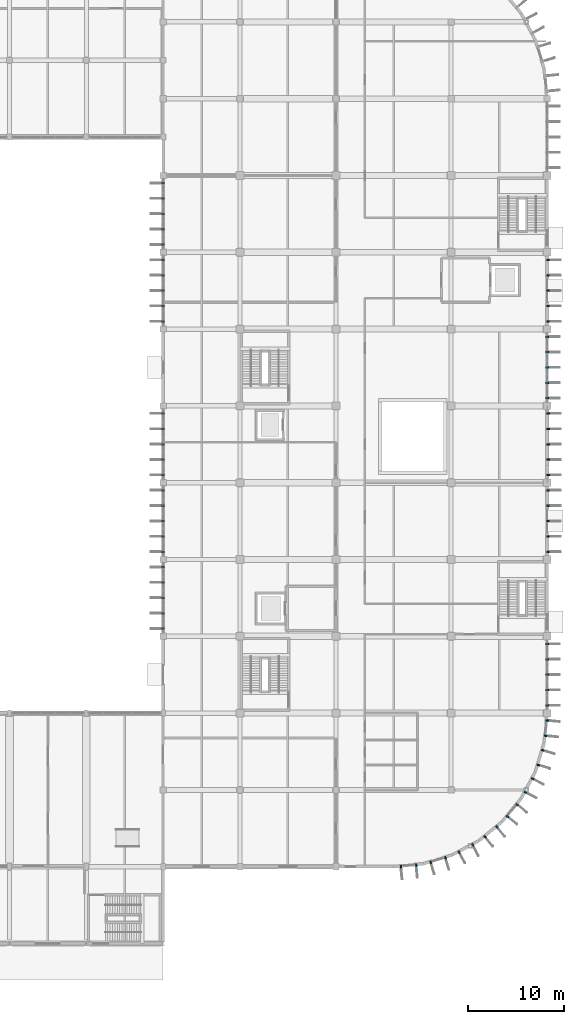
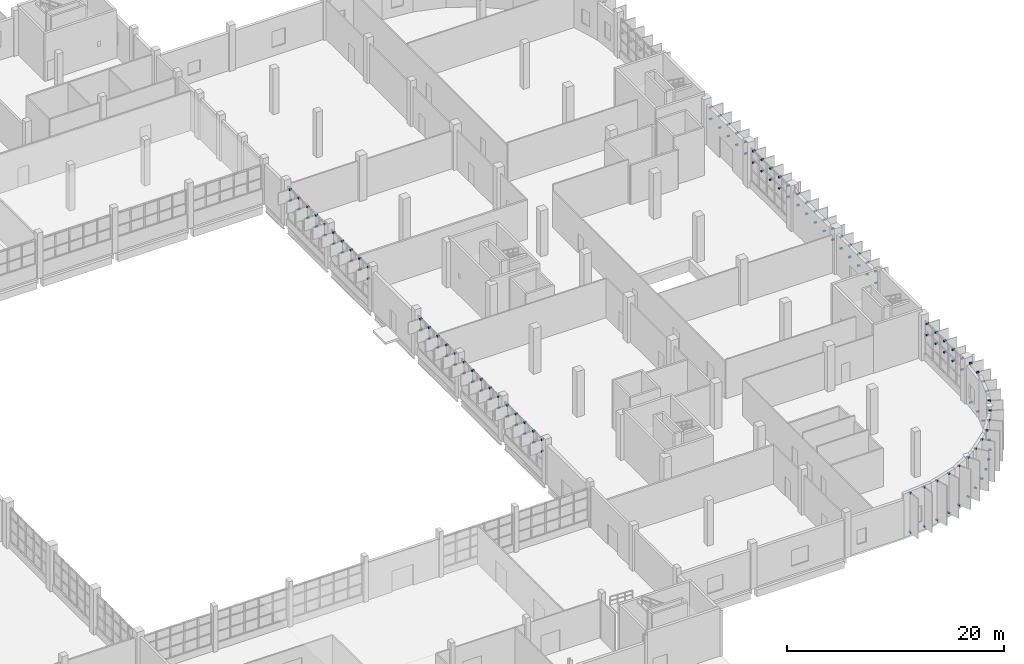
# One storey, part 92 of 103: 132 discrete accessories.
"""IFC4 building model written with IfcOpenShell, lengths in metres."""

from ifc_helpers import new_model, si_unit, direction, frame, origin, origin_2d, place, context, subcontext, project, spatial, rectangle, extrude, material, type_object, element, save


model = new_model("IFC4")

# Units and contexts
model_context = context("Model", 3, precision=1e-05, world=origin(), true_north=direction((0.0, 1.0)))
body_context = subcontext(model_context, "Body", "Model", "MODEL_VIEW")
ifc_project = project(units=[si_unit("LENGTHUNIT", "METRE"), si_unit("AREAUNIT", "SQUARE_METRE"), si_unit("VOLUMEUNIT", "CUBIC_METRE"), si_unit("PLANEANGLEUNIT", "RADIAN"), si_unit("MASSUNIT", "GRAM", prefix="KILO")], contexts=[model_context])

# Site, building, storey
site_placement = place(None, origin())
site = spatial("IfcSite", under=ifc_project, at=site_placement, CompositionType="ELEMENT")
building_placement = place(site_placement, origin())
building = spatial("IfcBuilding", under=site, at=building_placement, Name="Drelvana Railside Aquatics Centre", CompositionType="ELEMENT")
storey_placement = place(building_placement, origin())
storey = spatial("IfcBuildingStorey", under=building, at=storey_placement, Name="L00", CompositionType="ELEMENT", Elevation=0.0)

# Discrete accessories
ifc_material = material(Name="Stainless steel 316 facade bracket", Category="steel")
discrete_accessory_type = type_object("IfcDiscreteAccessoryType", Name="ACC-BRACKET-FIN", PredefinedType="BRACKET", material=ifc_material)
for number, where, z_axis, x_axis, name in (
    (1, (143.989990234375, 32.800048828125, 2.96484375), (0.0, 0.0, 1.0), (-1.0, 0.0, 0.0), "Shading fin bracket BK-1135"),
    (2, (143.989990234375, 32.800048828125, 4.22509765625), (0.0, 0.0, 1.0), (-1.0, 0.0, 0.0), "Shading fin bracket BK-1136"),
    (3, (143.989990234375, 34.39990234375, 2.96484375), (0.0, 0.0, 1.0), (-1.0, 0.0, 0.0), "Shading fin bracket BK-1137"),
    (4, (143.989990234375, 34.39990234375, 4.22509765625), (0.0, 0.0, 1.0), (-1.0, 0.0, 0.0), "Shading fin bracket BK-1138"),
    (5, (143.989990234375, 36.0, 2.96484375), (0.0, 0.0, 1.0), (-1.0, 0.0, 0.0), "Shading fin bracket BK-1139"),
    (6, (143.989990234375, 36.0, 4.22509765625), (0.0, 0.0, 1.0), (-1.0, 0.0, 0.0), "Shading fin bracket BK-1140"),
    (7, (143.989990234375, 37.60009765625, 2.96484375), (0.0, 0.0, 1.0), (-1.0, 0.0, 0.0), "Shading fin bracket BK-1141"),
    (8, (143.989990234375, 37.60009765625, 4.22509765625), (0.0, 0.0, 1.0), (-1.0, 0.0, 0.0), "Shading fin bracket BK-1142"),
    (9, (143.989990234375, 39.199951171875, 2.96484375), (0.0, 0.0, 1.0), (-1.0, 0.0, 0.0), "Shading fin bracket BK-1143"),
    (10, (143.989990234375, 39.199951171875, 4.22509765625), (0.0, 0.0, 1.0), (-1.0, 0.0, 0.0), "Shading fin bracket BK-1144"),
    (11, (143.989990234375, 40.800048828125, 2.96484375), (0.0, 0.0, 1.0), (-1.0, 0.0, 0.0), "Shading fin bracket BK-1175"),
    (12, (143.989990234375, 40.800048828125, 4.22509765625), (0.0, 0.0, 1.0), (-1.0, 0.0, 0.0), "Shading fin bracket BK-1176"),
    (13, (143.989990234375, 42.39990234375, 2.96484375), (0.0, 0.0, 1.0), (-1.0, 0.0, 0.0), "Shading fin bracket BK-1177"),
    (14, (143.989990234375, 42.39990234375, 4.22509765625), (0.0, 0.0, 1.0), (-1.0, 0.0, 0.0), "Shading fin bracket BK-1178"),
    (15, (143.989990234375, 44.0, 2.96484375), (0.0, 0.0, 1.0), (-1.0, 0.0, 0.0), "Shading fin bracket BK-1179"),
    (16, (143.989990234375, 44.0, 4.22509765625), (0.0, 0.0, 1.0), (-1.0, 0.0, 0.0), "Shading fin bracket BK-1180"),
    (17, (143.989990234375, 45.60009765625, 2.96484375), (0.0, 0.0, 1.0), (-1.0, 0.0, 0.0), "Shading fin bracket BK-1181"),
    (18, (143.989990234375, 45.60009765625, 4.22509765625), (0.0, 0.0, 1.0), (-1.0, 0.0, 0.0), "Shading fin bracket BK-1182"),
    (19, (143.989990234375, 47.199951171875, 2.96484375), (0.0, 0.0, 1.0), (-1.0, 0.0, 0.0), "Shading fin bracket BK-1183"),
    (20, (143.989990234375, 47.199951171875, 4.22509765625), (0.0, 0.0, 1.0), (-1.0, 0.0, 0.0), "Shading fin bracket BK-1184"),
    (21, (143.989990234375, 48.800048828125, 2.96484375), (0.0, 0.0, 1.0), (-1.0, 0.0, 0.0), "Shading fin bracket BK-1215"),
    (22, (143.989990234375, 48.800048828125, 4.22509765625), (0.0, 0.0, 1.0), (-1.0, 0.0, 0.0), "Shading fin bracket BK-1216"),
    (23, (143.989990234375, 50.39990234375, 2.96484375), (0.0, 0.0, 1.0), (-1.0, 0.0, 0.0), "Shading fin bracket BK-1217"),
    (24, (143.989990234375, 50.39990234375, 4.22509765625), (0.0, 0.0, 1.0), (-1.0, 0.0, 0.0), "Shading fin bracket BK-1218"),
    (25, (143.989990234375, 52.0, 2.96484375), (0.0, 0.0, 1.0), (-1.0, 0.0, 0.0), "Shading fin bracket BK-1219"),
    (26, (143.989990234375, 52.0, 4.22509765625), (0.0, 0.0, 1.0), (-1.0, 0.0, 0.0), "Shading fin bracket BK-1220"),
    (27, (143.989990234375, 53.60009765625, 2.96484375), (0.0, 0.0, 1.0), (-1.0, 0.0, 0.0), "Shading fin bracket BK-1221"),
    (28, (143.989990234375, 53.60009765625, 4.22509765625), (0.0, 0.0, 1.0), (-1.0, 0.0, 0.0), "Shading fin bracket BK-1222"),
    (29, (143.989990234375, 55.199951171875, 2.96484375), (0.0, 0.0, 1.0), (-1.0, 0.0, 0.0), "Shading fin bracket BK-1223"),
    (30, (143.989990234375, 55.199951171875, 4.22509765625), (0.0, 0.0, 1.0), (-1.0, 0.0, 0.0), "Shading fin bracket BK-1224"),
    (31, (143.989990234375, 64.800048828125, 2.96484375), (0.0, 0.0, 1.0), (-1.0, 0.0, 0.0), "Shading fin bracket BK-1285"),
    (32, (143.989990234375, 64.800048828125, 4.22509765625), (0.0, 0.0, 1.0), (-1.0, 0.0, 0.0), "Shading fin bracket BK-1286"),
    (33, (143.989990234375, 66.39990234375, 2.96484375), (0.0, 0.0, 1.0), (-1.0, 0.0, 0.0), "Shading fin bracket BK-1287"),
    (34, (143.989990234375, 66.39990234375, 4.22509765625), (0.0, 0.0, 1.0), (-1.0, 0.0, 0.0), "Shading fin bracket BK-1288"),
    (35, (143.989990234375, 68.0, 2.96484375), (0.0, 0.0, 1.0), (-1.0, 0.0, 0.0), "Shading fin bracket BK-1289"),
    (36, (143.989990234375, 68.0, 4.22509765625), (0.0, 0.0, 1.0), (-1.0, 0.0, 0.0), "Shading fin bracket BK-1290"),
    (37, (143.989990234375, 69.60009765625, 2.96484375), (0.0, 0.0, 1.0), (-1.0, 0.0, 0.0), "Shading fin bracket BK-1291"),
    (38, (143.989990234375, 69.60009765625, 4.22509765625), (0.0, 0.0, 1.0), (-1.0, 0.0, 0.0), "Shading fin bracket BK-1292"),
    (39, (143.989990234375, 71.199951171875, 2.96484375), (0.0, 0.0, 1.0), (-1.0, 0.0, 0.0), "Shading fin bracket BK-1293"),
    (40, (143.989990234375, 71.199951171875, 4.22509765625), (0.0, 0.0, 1.0), (-1.0, 0.0, 0.0), "Shading fin bracket BK-1294"),
    (41, (143.989990234375, 72.800048828125, 2.96484375), (0.0, 0.0, 1.0), (-1.0, 0.0, 0.0), "Shading fin bracket BK-1325"),
    (42, (143.989990234375, 72.800048828125, 4.22509765625), (0.0, 0.0, 1.0), (-1.0, 0.0, 0.0), "Shading fin bracket BK-1326"),
    (43, (143.989990234375, 74.39990234375, 2.96484375), (0.0, 0.0, 1.0), (-1.0, 0.0, 0.0), "Shading fin bracket BK-1327"),
    (44, (143.989990234375, 74.39990234375, 4.22509765625), (0.0, 0.0, 1.0), (-1.0, 0.0, 0.0), "Shading fin bracket BK-1328"),
    (45, (143.989990234375, 76.0, 2.96484375), (0.0, 0.0, 1.0), (-1.0, 0.0, 0.0), "Shading fin bracket BK-1329"),
    (46, (143.989990234375, 76.0, 4.22509765625), (0.0, 0.0, 1.0), (-1.0, 0.0, 0.0), "Shading fin bracket BK-1330"),
    (47, (143.989990234375, 77.60009765625, 2.96484375), (0.0, 0.0, 1.0), (-1.0, 0.0, 0.0), "Shading fin bracket BK-1331"),
    (48, (143.989990234375, 77.60009765625, 4.22509765625), (0.0, 0.0, 1.0), (-1.0, 0.0, 0.0), "Shading fin bracket BK-1332"),
    (49, (143.989990234375, 79.199951171875, 2.96484375), (0.0, 0.0, 1.0), (-1.0, 0.0, 0.0), "Shading fin bracket BK-1333"),
    (50, (143.989990234375, 79.199951171875, 4.22509765625), (0.0, 0.0, 1.0), (-1.0, 0.0, 0.0), "Shading fin bracket BK-1334"),
    (51, (184.010009765625, 24.800048828125, 2.96484375), (0.0, 0.0, 1.0), (1.0, 0.0, 0.0), "Shading fin bracket BK-1365"),
    (52, (184.010009765625, 24.800048828125, 4.22509765625), (0.0, 0.0, 1.0), (1.0, 0.0, 0.0), "Shading fin bracket BK-1366"),
    (53, (184.010009765625, 26.39990234375, 2.96484375), (0.0, 0.0, 1.0), (1.0, 0.0, 0.0), "Shading fin bracket BK-1367"),
    (54, (184.010009765625, 26.39990234375, 4.22509765625), (0.0, 0.0, 1.0), (1.0, 0.0, 0.0), "Shading fin bracket BK-1368"),
    (55, (184.010009765625, 28.0, 2.96484375), (0.0, 0.0, 1.0), (1.0, 0.0, 0.0), "Shading fin bracket BK-1369"),
    (56, (184.010009765625, 28.0, 4.22509765625), (0.0, 0.0, 1.0), (1.0, 0.0, 0.0), "Shading fin bracket BK-1370"),
    (57, (184.010009765625, 29.60009765625, 2.96484375), (0.0, 0.0, 1.0), (1.0, 0.0, 0.0), "Shading fin bracket BK-1371"),
    (58, (184.010009765625, 29.60009765625, 4.22509765625), (0.0, 0.0, 1.0), (1.0, 0.0, 0.0), "Shading fin bracket BK-1372"),
    (59, (184.010009765625, 31.199951171875, 2.96484375), (0.0, 0.0, 1.0), (1.0, 0.0, 0.0), "Shading fin bracket BK-1373"),
    (60, (184.010009765625, 31.199951171875, 4.22509765625), (0.0, 0.0, 1.0), (1.0, 0.0, 0.0), "Shading fin bracket BK-1374"),
    (61, (184.0849609375, 40.800048828125, 2.96484375), (0.0, 0.0, 1.0), (1.0, 0.0, 0.0), "Shading fin bracket BK-1415"),
    (62, (184.0849609375, 40.800048828125, 4.27490234375), (0.0, 0.0, 1.0), (1.0, 0.0, 0.0), "Shading fin bracket BK-1416"),
    (63, (184.0849609375, 42.39990234375, 2.96484375), (0.0, 0.0, 1.0), (1.0, 0.0, 0.0), "Shading fin bracket BK-1417"),
    (64, (184.0849609375, 42.39990234375, 4.27490234375), (0.0, 0.0, 1.0), (1.0, 0.0, 0.0), "Shading fin bracket BK-1418"),
    (65, (184.0849609375, 44.0, 2.96484375), (0.0, 0.0, 1.0), (1.0, 0.0, 0.0), "Shading fin bracket BK-1419"),
    (66, (184.0849609375, 44.0, 4.27490234375), (0.0, 0.0, 1.0), (1.0, 0.0, 0.0), "Shading fin bracket BK-1420"),
    (67, (184.0849609375, 45.60009765625, 2.96484375), (0.0, 0.0, 1.0), (1.0, 0.0, 0.0), "Shading fin bracket BK-1421"),
    (68, (184.0849609375, 45.60009765625, 4.27490234375), (0.0, 0.0, 1.0), (1.0, 0.0, 0.0), "Shading fin bracket BK-1422"),
    (69, (184.0849609375, 47.199951171875, 2.96484375), (0.0, 0.0, 1.0), (1.0, 0.0, 0.0), "Shading fin bracket BK-1423"),
    (70, (184.0849609375, 47.199951171875, 4.27490234375), (0.0, 0.0, 1.0), (1.0, 0.0, 0.0), "Shading fin bracket BK-1424"),
    (71, (184.114990234375, 48.800048828125, 2.96484375), (0.0, 0.0, 1.0), (1.0, 0.0, 0.0), "Shading fin bracket BK-1465"),
    (72, (184.114990234375, 48.800048828125, 4.22509765625), (0.0, 0.0, 1.0), (1.0, 0.0, 0.0), "Shading fin bracket BK-1466"),
    (73, (184.114990234375, 50.39990234375, 2.96484375), (0.0, 0.0, 1.0), (1.0, 0.0, 0.0), "Shading fin bracket BK-1467"),
    (74, (184.114990234375, 50.39990234375, 4.22509765625), (0.0, 0.0, 1.0), (1.0, 0.0, 0.0), "Shading fin bracket BK-1468"),
    (75, (184.114990234375, 52.0, 2.96484375), (0.0, 0.0, 1.0), (1.0, 0.0, 0.0), "Shading fin bracket BK-1469"),
    (76, (184.114990234375, 52.0, 4.22509765625), (0.0, 0.0, 1.0), (1.0, 0.0, 0.0), "Shading fin bracket BK-1470"),
    (77, (184.114990234375, 53.60009765625, 2.96484375), (0.0, 0.0, 1.0), (1.0, 0.0, 0.0), "Shading fin bracket BK-1471"),
    (78, (184.114990234375, 53.60009765625, 4.22509765625), (0.0, 0.0, 1.0), (1.0, 0.0, 0.0), "Shading fin bracket BK-1472"),
    (79, (184.114990234375, 55.199951171875, 2.96484375), (0.0, 0.0, 1.0), (1.0, 0.0, 0.0), "Shading fin bracket BK-1473"),
    (80, (184.114990234375, 55.199951171875, 4.22509765625), (0.0, 0.0, 1.0), (1.0, 0.0, 0.0), "Shading fin bracket BK-1474"),
    (81, (184.010009765625, 56.800048828125, 2.96484375), (0.0, 0.0, 1.0), (1.0, 0.0, 0.0), "Shading fin bracket BK-1515"),
    (82, (184.010009765625, 56.800048828125, 4.22509765625), (0.0, 0.0, 1.0), (1.0, 0.0, 0.0), "Shading fin bracket BK-1516"),
    (83, (184.010009765625, 58.39990234375, 2.96484375), (0.0, 0.0, 1.0), (1.0, 0.0, 0.0), "Shading fin bracket BK-1517"),
    (84, (184.010009765625, 58.39990234375, 4.22509765625), (0.0, 0.0, 1.0), (1.0, 0.0, 0.0), "Shading fin bracket BK-1518"),
    (85, (184.010009765625, 60.0, 2.96484375), (0.0, 0.0, 1.0), (1.0, 0.0, 0.0), "Shading fin bracket BK-1519"),
    (86, (184.010009765625, 60.0, 4.22509765625), (0.0, 0.0, 1.0), (1.0, 0.0, 0.0), "Shading fin bracket BK-1520"),
    (87, (184.010009765625, 61.60009765625, 2.96484375), (0.0, 0.0, 1.0), (1.0, 0.0, 0.0), "Shading fin bracket BK-1521"),
    (88, (184.010009765625, 61.60009765625, 4.22509765625), (0.0, 0.0, 1.0), (1.0, 0.0, 0.0), "Shading fin bracket BK-1522"),
    (89, (184.010009765625, 63.199951171875, 2.96484375), (0.0, 0.0, 1.0), (1.0, 0.0, 0.0), "Shading fin bracket BK-1523"),
    (90, (184.010009765625, 63.199951171875, 4.22509765625), (0.0, 0.0, 1.0), (1.0, 0.0, 0.0), "Shading fin bracket BK-1524"),
    (91, (184.0849609375, 64.800048828125, 2.96484375), (0.0, 0.0, 1.0), (1.0, 0.0, 0.0), "Shading fin bracket BK-1565"),
    (92, (184.0849609375, 64.800048828125, 4.27490234375), (0.0, 0.0, 1.0), (1.0, 0.0, 0.0), "Shading fin bracket BK-1566"),
    (93, (184.0849609375, 66.39990234375, 2.96484375), (0.0, 0.0, 1.0), (1.0, 0.0, 0.0), "Shading fin bracket BK-1567"),
    (94, (184.0849609375, 66.39990234375, 4.27490234375), (0.0, 0.0, 1.0), (1.0, 0.0, 0.0), "Shading fin bracket BK-1568"),
    (95, (184.0849609375, 68.0, 2.96484375), (0.0, 0.0, 1.0), (1.0, 0.0, 0.0), "Shading fin bracket BK-1569"),
    (96, (184.0849609375, 68.0, 4.27490234375), (0.0, 0.0, 1.0), (1.0, 0.0, 0.0), "Shading fin bracket BK-1570"),
    (97, (184.0849609375, 69.60009765625, 2.96484375), (0.0, 0.0, 1.0), (1.0, 0.0, 0.0), "Shading fin bracket BK-1571"),
    (98, (184.0849609375, 69.60009765625, 4.27490234375), (0.0, 0.0, 1.0), (1.0, 0.0, 0.0), "Shading fin bracket BK-1572"),
    (99, (184.0849609375, 71.199951171875, 2.96484375), (0.0, 0.0, 1.0), (1.0, 0.0, 0.0), "Shading fin bracket BK-1573"),
    (100, (184.0849609375, 71.199951171875, 4.27490234375), (0.0, 0.0, 1.0), (1.0, 0.0, 0.0), "Shading fin bracket BK-1574"),
    (101, (168.77197265625, 8.000732421875, 0.21484375), (0.0, 0.0, 1.0), (0.09801714033, -0.995184726672, 0.0), "Shading fin bracket BK-1655"),
    (102, (168.77197265625, 8.000732421875, 4.625), (0.0, 0.0, 1.0), (0.09801714033, -0.995184726672, 0.0), "Shading fin bracket BK-1656"),
    (103, (170.3642578125, 8.157470703125, 0.21484375), (0.0, 0.0, 1.0), (0.09801714033, -0.995184726672, 0.0), "Shading fin bracket BK-1657"),
    (104, (170.3642578125, 8.157470703125, 4.625), (0.0, 0.0, 1.0), (0.09801714033, -0.995184726672, 0.0), "Shading fin bracket BK-1658"),
    (105, (171.87841796875, 8.458740234375, 0.21484375), (0.0, 0.0, 1.0), (0.290284677254, -0.956940335732, 0.0), "Shading fin bracket BK-1667"),
    (106, (171.87841796875, 8.458740234375, 4.625), (0.0, 0.0, 1.0), (0.290284677254, -0.956940335732, 0.0), "Shading fin bracket BK-1668"),
    (107, (173.409423828125, 8.923095703125, 0.21484375), (0.0, 0.0, 1.0), (0.290284677254, -0.956940335732, 0.0), "Shading fin bracket BK-1669"),
    (108, (173.409423828125, 8.923095703125, 4.625), (0.0, 0.0, 1.0), (0.290284677254, -0.956940335732, 0.0), "Shading fin bracket BK-1670"),
    (109, (174.835693359375, 9.513916015625, 0.21484375), (0.0, 0.0, 1.0), (0.471396736826, -0.881921264348, 0.0), "Shading fin bracket BK-1679"),
    (110, (174.835693359375, 9.513916015625, 4.625), (0.0, 0.0, 1.0), (0.471396736826, -0.881921264348, 0.0), "Shading fin bracket BK-1680"),
    (111, (176.246826171875, 10.268310546875, 0.21484375), (0.0, 0.0, 1.0), (0.471396736826, -0.881921264348, 0.0), "Shading fin bracket BK-1681"),
    (112, (176.246826171875, 10.268310546875, 4.625), (0.0, 0.0, 1.0), (0.471396736826, -0.881921264348, 0.0), "Shading fin bracket BK-1682"),
    (113, (177.530517578125, 11.1259765625, 0.21484375), (0.0, 0.0, 1.0), (0.634393284164, -0.773010453363, 0.0), "Shading fin bracket BK-1691"),
    (114, (177.530517578125, 11.1259765625, 4.625), (0.0, 0.0, 1.0), (0.634393284164, -0.773010453363, 0.0), "Shading fin bracket BK-1692"),
    (115, (178.767333984375, 12.140869140625, 0.21484375), (0.0, 0.0, 1.0), (0.634393284164, -0.773010453363, 0.0), "Shading fin bracket BK-1693"),
    (116, (178.767333984375, 12.140869140625, 4.625), (0.0, 0.0, 1.0), (0.634393284164, -0.773010453363, 0.0), "Shading fin bracket BK-1694"),
    (117, (179.859130859375, 13.232666015625, 0.21484375), (0.0, 0.0, 1.0), (0.773010453363, -0.634393284164, 0.0), "Shading fin bracket BK-1703"),
    (118, (179.859130859375, 13.232666015625, 4.625), (0.0, 0.0, 1.0), (0.773010453363, -0.634393284164, 0.0), "Shading fin bracket BK-1704"),
    (119, (180.8740234375, 14.469482421875, 0.21484375), (0.0, 0.0, 1.0), (0.773010453363, -0.634393284164, 0.0), "Shading fin bracket BK-1705"),
    (120, (180.8740234375, 14.469482421875, 4.625), (0.0, 0.0, 1.0), (0.773010453363, -0.634393284164, 0.0), "Shading fin bracket BK-1706"),
    (121, (181.731689453125, 15.753173828125, 0.21484375), (0.0, 0.0, 1.0), (0.881921264348, -0.471396736826, 0.0), "Shading fin bracket BK-1715"),
    (122, (181.731689453125, 15.753173828125, 4.625), (0.0, 0.0, 1.0), (0.881921264348, -0.471396736826, 0.0), "Shading fin bracket BK-1716"),
    (123, (182.486083984375, 17.164306640625, 0.21484375), (0.0, 0.0, 1.0), (0.881921264348, -0.471396736826, 0.0), "Shading fin bracket BK-1717"),
    (124, (182.486083984375, 17.164306640625, 4.625), (0.0, 0.0, 1.0), (0.881921264348, -0.471396736826, 0.0), "Shading fin bracket BK-1718"),
    (125, (183.076904296875, 18.590576171875, 0.21484375), (0.0, 0.0, 1.0), (0.956940335732, -0.290284677254, 0.0), "Shading fin bracket BK-1727"),
    (126, (183.076904296875, 18.590576171875, 4.625), (0.0, 0.0, 1.0), (0.956940335732, -0.290284677254, 0.0), "Shading fin bracket BK-1728"),
    (127, (183.541259765625, 20.12158203125, 0.21484375), (0.0, 0.0, 1.0), (0.956940335732, -0.290284677254, 0.0), "Shading fin bracket BK-1729"),
    (128, (183.541259765625, 20.12158203125, 4.625), (0.0, 0.0, 1.0), (0.956940335732, -0.290284677254, 0.0), "Shading fin bracket BK-1730"),
    (129, (183.842529296875, 21.6357421875, 0.21484375), (0.0, 0.0, 1.0), (0.995184726672, -0.09801714033, 0.0), "Shading fin bracket BK-1739"),
    (130, (183.842529296875, 21.6357421875, 4.625), (0.0, 0.0, 1.0), (0.995184726672, -0.09801714033, 0.0), "Shading fin bracket BK-1740"),
    (131, (183.999267578125, 23.22802734375, 0.21484375), (0.0, 0.0, 1.0), (0.995184726672, -0.09801714033, 0.0), "Shading fin bracket BK-1741"),
    (132, (183.999267578125, 23.22802734375, 4.625), (0.0, 0.0, 1.0), (0.995184726672, -0.09801714033, 0.0), "Shading fin bracket BK-1742"),
):
    element("IfcDiscreteAccessory", number, at=place(storey_placement, frame(where, z_axis=z_axis, x_axis=x_axis)), inside=storey, type_object=discrete_accessory_type, Name=name, PredefinedType="BRACKET", context=body_context, shape_type="SweptSolid", body=[
        extrude(rectangle(XDim=0.280029296875, YDim=0.159912109375, at=origin_2d()), origin(), (0.0, 0.0, 1.0), 0.159912109375),
    ])

save(model, "model.ifc")
